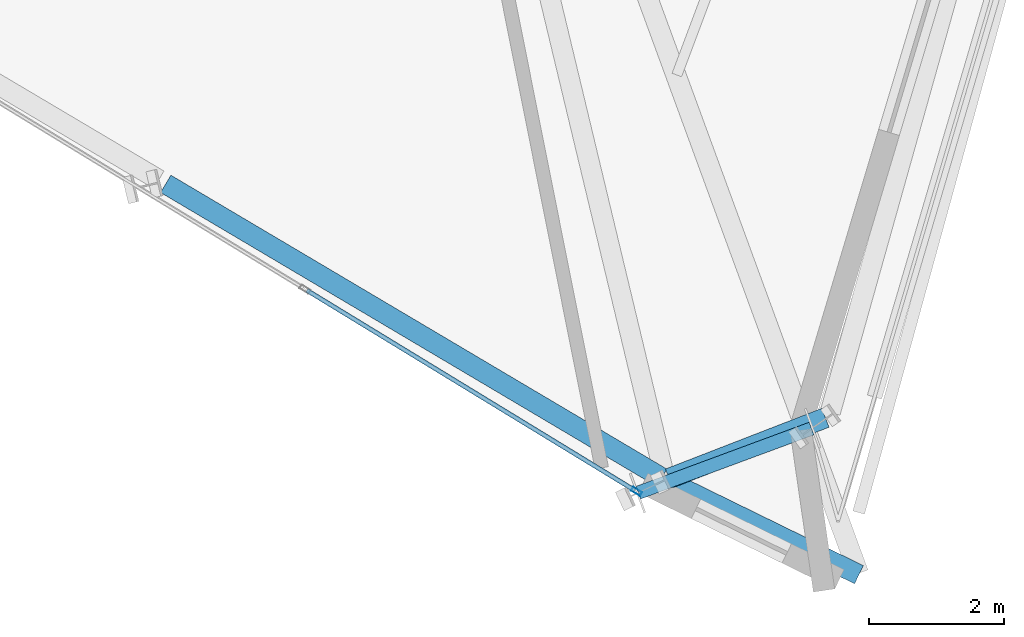
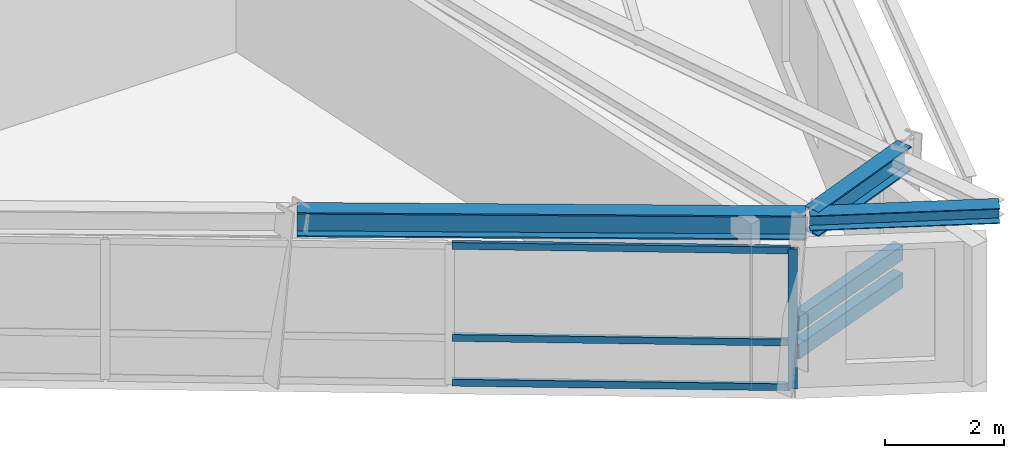
# One storey, part 4 of 14: 6 members, 3 beams, 1 element without a shape of its own.
"""IFC4 building model written with IfcOpenShell, lengths in metres."""

from ifc_helpers import new_model, si_unit, direction, frame, origin, origin_2d, place, context, subcontext, project, spatial, hollow_rectangle, i_section, extrude, source, transform, mapped, material, material_profile, profile_set, type_object, element, aggregate, save


model = new_model("IFC4")

# Units and contexts
model_context = context("Model", 3, precision=1e-05, world=origin(), true_north=direction((0.0, 1.0)))
body_context = subcontext(model_context, "Body", "Model", "MODEL_VIEW")
ifc_project = project(units=[si_unit("LENGTHUNIT", "METRE"), si_unit("AREAUNIT", "SQUARE_METRE"), si_unit("VOLUMEUNIT", "CUBIC_METRE"), si_unit("PLANEANGLEUNIT", "RADIAN"), si_unit("MASSUNIT", "GRAM", prefix="KILO")], contexts=[model_context])

# Site, building, storey
site_placement = place(None, origin())
site = spatial("IfcSite", under=ifc_project, at=site_placement, CompositionType="ELEMENT")
building_placement = place(site_placement, origin())
building = spatial("IfcBuilding", under=site, at=building_placement, Name="Olszyna Solenne Hotel", CompositionType="ELEMENT")
storey_placement = place(building_placement, frame((0.0, 0.0, 256.10009765625)))
storey = spatial("IfcBuildingStorey", under=building, at=storey_placement, Name="L68", CompositionType="ELEMENT", Elevation=256.10009765625)

# Beams
ifc_material_1 = material(Name="Steel S355J2", Category="steel")
ifc_material_profile_1 = material_profile(ifc_material_1, i_section(OverallWidth=0.300048828125, OverallDepth=0.5, WebThickness=0.014404296875, FlangeThickness=0.028076171875, at=origin_2d()), Name="HEB 500", Category="load-bearing")
ifc_profile_set_1 = profile_set([ifc_material_profile_1], Name="Steel S355J2")
beam_type_1 = type_object("IfcBeamType", Name="BM-S3", PredefinedType="BEAM", material=ifc_profile_set_1)
shared_shape_1 = source(origin(), body_context, "Body", "SweptSolid", [
    extrude(i_section(OverallWidth=0.300048828125, OverallDepth=0.5, WebThickness=0.014404296875, FlangeThickness=0.028076171875, at=origin_2d()), origin(), (0.0, 0.0, 1.0), 8.554443359375),
])
beam_1_placement = place(storey_placement, frame((35.986328125, 8.46484375, 3.1298828125), z_axis=(0.860345304395, -0.509711641229, 0.0), x_axis=(0.509711641229, 0.860345304395, 0.0)))
element("IfcBeam", 1, at=beam_1_placement, inside=storey, type_object=beam_type_1, Name="Perimeter spandrel beam BM-S3 B-L68-2005", PredefinedType="BEAM", context=body_context, shape_type="MappedRepresentation", body=[
    mapped(shared_shape_1, transform((0.0, 0.0, 0.0), x_axis=(1.0, 0.0, 0.0), y_axis=(0.0, 1.0, 0.0), z_axis=(0.0, 0.0, 1.0), scale=1.0)),
])
shared_shape_2 = source(origin(), body_context, "Body", "SweptSolid", [
    extrude(i_section(OverallWidth=0.300048828125, OverallDepth=0.5, WebThickness=0.014404296875, FlangeThickness=0.028076171875, at=origin_2d()), origin(), (0.0, 0.0, 1.0), 2.486328125),
])
beam_2_placement = place(storey_placement, frame((43.453857421875, 4.095703125, 3.1298828125), z_axis=(0.93231942417, 0.361635854578, 0.0), x_axis=(-0.361635854578, 0.93231942417, 0.0)))
element("IfcBeam", 2, at=beam_2_placement, inside=storey, type_object=beam_type_1, Name="Perimeter spandrel beam BM-S3 B-L68-2006", PredefinedType="BEAM", context=body_context, shape_type="MappedRepresentation", body=[
    mapped(shared_shape_2, transform((0.0, 0.0, 0.0), x_axis=(1.0, 0.0, 0.0), y_axis=(0.0, 1.0, 0.0), z_axis=(0.0, 0.0, 1.0), scale=1.0)),
])
ifc_material_profile_2 = material_profile(ifc_material_1, i_section(OverallWidth=0.300048828125, OverallDepth=0.31005859375, WebThickness=0.009033203125, FlangeThickness=0.015380859375, at=origin_2d()), Name="HEA 320", Category="load-bearing")
ifc_profile_set_2 = profile_set([ifc_material_profile_2], Name="Steel S355J2")
beam_type_2 = type_object("IfcBeamType", Name="BM-G3", PredefinedType="BEAM", material=ifc_profile_set_2)
shared_shape_3 = source(origin(), body_context, "Body", "SweptSolid", [
    extrude(i_section(OverallWidth=0.300048828125, OverallDepth=0.31005859375, WebThickness=0.009033203125, FlangeThickness=0.015380859375, at=origin_2d()), origin(), (0.0, 0.0, 1.0), 3.197998046875),
])
beam_3_placement = place(storey_placement, frame((43.39794921875, 4.073974609375, 3.224853515625), z_axis=(0.898091632546, -0.439808389587, 0.0), x_axis=(0.439808389587, 0.898091632546, 0.0)))
element("IfcBeam", 3, at=beam_3_placement, inside=storey, type_object=beam_type_2, Name="Prism side edge beam BM-G3 B-L68-2019", PredefinedType="BEAM", context=body_context, shape_type="MappedRepresentation", body=[
    mapped(shared_shape_3, transform((0.0, 0.0, 0.0), x_axis=(1.0, 0.0, 0.0), y_axis=(0.0, 1.0, 0.0), z_axis=(0.0, 0.0, 1.0), scale=1.0)),
])

# Members
ifc_material_profile_3 = material_profile(ifc_material_1, hollow_rectangle(XDim=0.199951171875, YDim=0.300048828125, WallThickness=0.01611328125, at=origin_2d()), Name="RHS 300x200x16", Category="load-bearing")
ifc_profile_set_3 = profile_set([ifc_material_profile_3], Name="Steel S355J2")
member_type_1 = type_object("IfcMemberType", Name="CH-PR1", PredefinedType="CHORD", material=ifc_profile_set_3)
shared_shape_4 = source(origin(), body_context, "Body", "SweptSolid", [
    extrude(hollow_rectangle(XDim=0.199951171875, YDim=0.300048828125, WallThickness=0.01611328125, at=origin_2d()), origin(), (0.0, 0.0, 1.0), 2.73779296875),
])
for number, where, z_axis, x_axis, name in (
    (4, (42.99853515625, 3.884521484375, 1.349853515625), (0.937870258844, 0.346986134559, 0.0), (-0.346986134559, 0.937870258844, 0.0), "Glass-prism tie chord CH-PR1 M-L68-PR1"),
    (5, (42.99853515625, 3.884521484375, 0.77978515625), (0.937870258844, 0.346986134559, 0.0), (-0.346986134559, 0.937870258844, 0.0), "Glass-prism tie chord CH-PR1 M-L68-PR2"),
):
    element("IfcMember", number, at=place(storey_placement, frame(where, z_axis=z_axis, x_axis=x_axis)), inside=storey, type_object=member_type_1, Name=name, PredefinedType="CHORD", context=body_context, shape_type="MappedRepresentation", body=[
        mapped(shared_shape_4, transform((0.0, 0.0, 0.0), x_axis=(1.0, 0.0, 0.0), y_axis=(0.0, 1.0, 0.0), z_axis=(0.0, 0.0, 1.0), scale=1.0)),
    ])

# Curtain wall, members
ifc_material_2 = material(Name="Anodised bronze aluminium", Category="aluminium")
curtain_wall_type = type_object("IfcCurtainWallType", Name="CW-SYS-4", PredefinedType="NOTDEFINED", material=ifc_material_2)
curtain_wall_placement = place(storey_placement, origin())
curtain_wall = element("IfcCurtainWall", 6, at=curtain_wall_placement, inside=storey, type_object=curtain_wall_type, Name="Unitised curtain wall CW-SYS-4 CW-L68-01", PredefinedType="NOTDEFINED")
ifc_material_profile_4 = material_profile(ifc_material_2, hollow_rectangle(XDim=0.06494140625, YDim=0.159912109375, WallThickness=0.00390625, at=origin_2d()), Name="MULL 160x65x4", Category="load-bearing")
ifc_profile_set_4 = profile_set([ifc_material_profile_4], Name="Anodised bronze aluminium")
member_type_2 = type_object("IfcMemberType", Name="CW-M3", PredefinedType="MULLION", material=ifc_profile_set_4)
shared_shape_5 = source(origin(), body_context, "Body", "SweptSolid", [
    extrude(hollow_rectangle(XDim=0.06494140625, YDim=0.159912109375, WallThickness=0.00390625, at=origin_2d()), origin(), (0.0, 0.0, 1.0), 2.871826171875),
])
member_1_placement = place(storey_placement, frame((42.970947265625, 3.9013671875, 0.0), z_axis=(0.0, 0.0, 1.0), x_axis=(0.520829397593, 0.853660786614, 0.0)))
member_1 = element("IfcMember", 7, at=member_1_placement, type_object=member_type_2, Name="Curtain-wall mullion CW-M3 CM-L68-01-04", PredefinedType="MULLION", context=body_context, shape_type="MappedRepresentation", body=[
    mapped(shared_shape_5, transform((0.0, 0.0, 0.0), x_axis=(1.0, 0.0, 0.0), y_axis=(0.0, 1.0, 0.0), z_axis=(0.0, 0.0, 1.0), scale=1.0)),
])
ifc_material_profile_5 = material_profile(ifc_material_2, hollow_rectangle(XDim=0.06494140625, YDim=0.139892578125, WallThickness=0.00390625, at=origin_2d()), Name="TRAN 140x65x4", Category="load-bearing")
ifc_profile_set_5 = profile_set([ifc_material_profile_5], Name="Anodised bronze aluminium")
member_type_3 = type_object("IfcMemberType", Name="CW-T2", PredefinedType="USERDEFINED", material=ifc_profile_set_5)
shared_shape_6 = source(origin(), body_context, "Body", "SweptSolid", [
    extrude(hollow_rectangle(XDim=0.06494140625, YDim=0.139892578125, WallThickness=0.00390625, at=origin_2d()), origin(), (0.0, 0.0, 1.0), 5.69580078125),
])
member_2_placement = place(storey_placement, frame((38.080810546875, 6.885009765625, 0.032470703125), z_axis=(0.853660921996, -0.520829175697, 0.0), x_axis=(0.520829175697, 0.853660921996, 0.0)))
member_2 = element("IfcMember", 8, at=member_2_placement, type_object=member_type_3, Name="Curtain-wall transom CW-T2 CT-L68-01-07", ObjectType="TRANSOM", PredefinedType="USERDEFINED", context=body_context, shape_type="MappedRepresentation", body=[
    mapped(shared_shape_6, transform((0.0, 0.0, 0.0), x_axis=(1.0, 0.0, 0.0), y_axis=(0.0, 1.0, 0.0), z_axis=(0.0, 0.0, 1.0), scale=1.0)),
])
member_3_placement = place(storey_placement, frame((38.080810546875, 6.885009765625, 0.949951171875), z_axis=(0.853660921996, -0.520829175697, 0.0), x_axis=(0.520829175697, 0.853660921996, 0.0)))
member_3 = element("IfcMember", 9, at=member_3_placement, type_object=member_type_3, Name="Curtain-wall transom CW-T2 CT-L68-01-08", ObjectType="TRANSOM", PredefinedType="USERDEFINED", context=body_context, shape_type="MappedRepresentation", body=[
    mapped(shared_shape_6, transform((0.0, 0.0, 0.0), x_axis=(1.0, 0.0, 0.0), y_axis=(0.0, 1.0, 0.0), z_axis=(0.0, 0.0, 1.0), scale=1.0)),
])
member_4_placement = place(storey_placement, frame((38.080810546875, 6.885009765625, 2.83935546875), z_axis=(0.853660921996, -0.520829175697, 0.0), x_axis=(0.520829175697, 0.853660921996, 0.0)))
member_4 = element("IfcMember", 10, at=member_4_placement, type_object=member_type_3, Name="Curtain-wall transom CW-T2 CT-L68-01-09", ObjectType="TRANSOM", PredefinedType="USERDEFINED", context=body_context, shape_type="MappedRepresentation", body=[
    mapped(shared_shape_6, transform((0.0, 0.0, 0.0), x_axis=(1.0, 0.0, 0.0), y_axis=(0.0, 1.0, 0.0), z_axis=(0.0, 0.0, 1.0), scale=1.0)),
])
aggregate(curtain_wall, [member_1, member_2, member_3, member_4])

save(model, "model.ifc")
